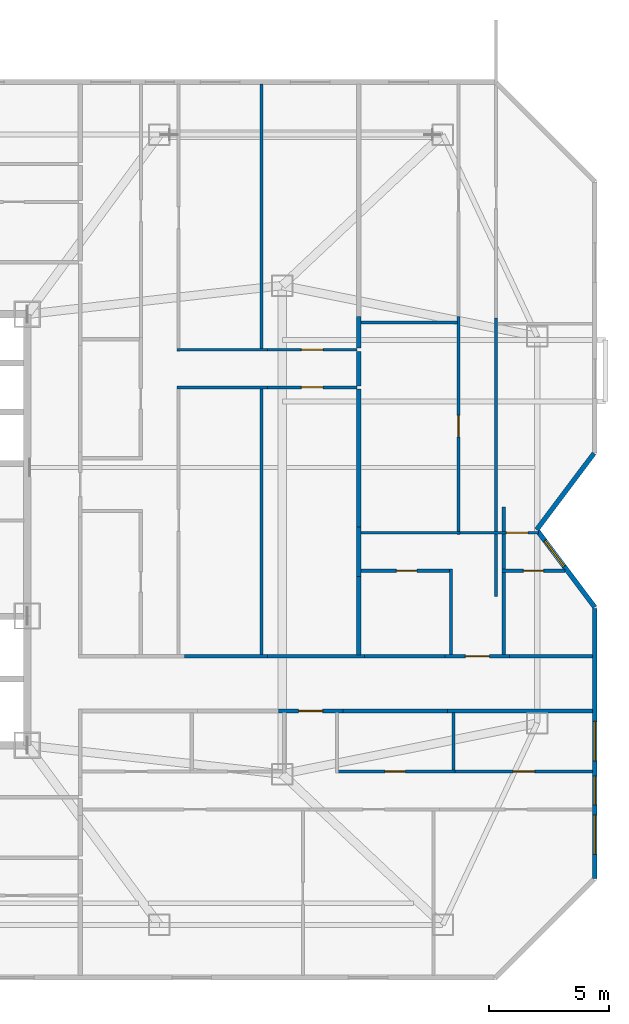
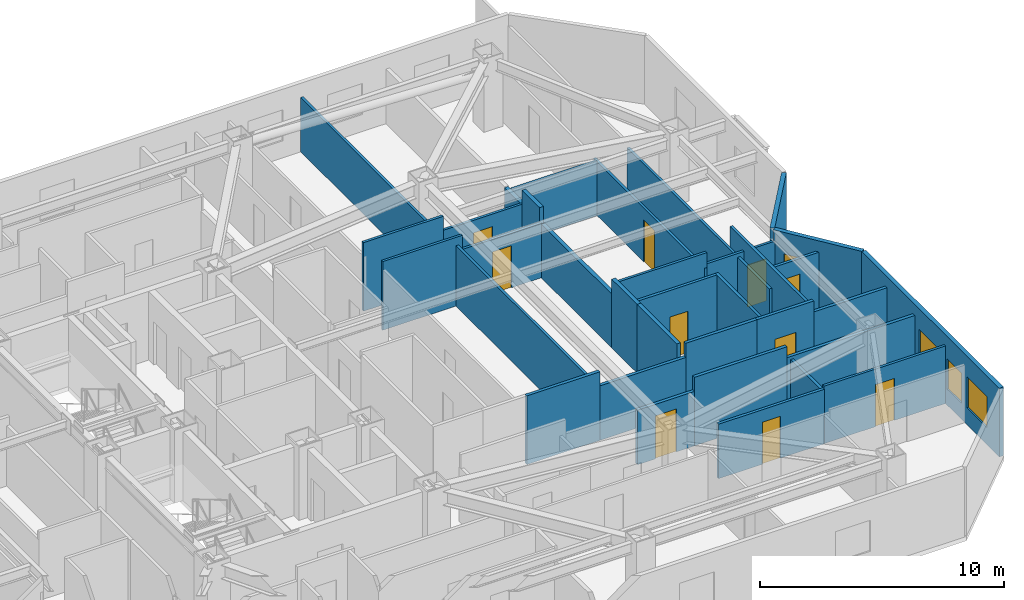
# One storey, part 9 of 12: 34 walls, 10 doors, 4 windows, 14 openings.
"""IFC4 building model written with IfcOpenShell, lengths in metres."""

from ifc_helpers import new_model, si_unit, direction, frame, frame_2d, origin, place, context, subcontext, project, spatial, rectangle, extrude, material, layer, layer_set, type_object, element, fill, save


model = new_model("IFC4")

# Units and contexts
model_context = context("Model", 3, precision=1e-05, world=origin(), true_north=direction((0.0, 1.0)))
body_context = subcontext(model_context, "Body", "Model", "MODEL_VIEW")
ifc_project = project(units=[si_unit("LENGTHUNIT", "METRE"), si_unit("AREAUNIT", "SQUARE_METRE"), si_unit("VOLUMEUNIT", "CUBIC_METRE"), si_unit("PLANEANGLEUNIT", "RADIAN"), si_unit("MASSUNIT", "GRAM", prefix="KILO")], contexts=[model_context])

# Site, building, storey
site_placement = place(None, origin())
site = spatial("IfcSite", under=ifc_project, at=site_placement, CompositionType="ELEMENT")
building_placement = place(site_placement, origin())
building = spatial("IfcBuilding", under=site, at=building_placement, Name="Khamvora Tower", CompositionType="ELEMENT")
storey_placement = place(building_placement, frame((0.0, 0.0, 177.800048828125)))
storey = spatial("IfcBuildingStorey", under=building, at=storey_placement, Name="L45", CompositionType="ELEMENT", Elevation=177.800048828125)

# Wall
ifc_material_1 = material(Name="Fire-Rated Drywall and Steel Stud", Category="steel")
ifc_layer_1 = layer(ifc_material_1, 0.14990234375)
ifc_layer_set_1 = layer_set([ifc_layer_1], Name="Fire-Rated Drywall and Steel Stud")
wall_type_1 = type_object("IfcWallType", Name="WAL-CORR-150", PredefinedType="STANDARD", material=ifc_layer_set_1)
wall_1_placement = place(storey_placement, frame((63.008056640625, 20.43505859375, 0.0), z_axis=(0.0, 0.0, 1.0), x_axis=(-1.0, 0.0, 0.0)))
element("IfcWall", 1, at=wall_1_placement, inside=storey, type_object=wall_type_1, Name="L45 interior partition wall 027", PredefinedType="STANDARD", context=body_context, shape_type="SweptSolid", body=[
    extrude(rectangle(XDim=6.05712890625, YDim=0.14990234375, at=frame_2d((3.028564453125, 0.0))), origin(), (0.0, 0.0, 1.0), 2.8759765625),
])

# Wall, opening, door
wall_2_placement = place(storey_placement, frame((52.583984375, 20.43505859375, 0.0), z_axis=(0.0, 0.0, 1.0), x_axis=(-1.0, 0.0, 0.0)))
wall_2 = element("IfcWall", 2, at=wall_2_placement, inside=storey, type_object=wall_type_1, Name="L45 interior partition wall 028", PredefinedType="STANDARD", context=body_context, shape_type="SweptSolid", body=[
    extrude(rectangle(XDim=2.697998046875, YDim=0.14990234375, at=frame_2d((1.34912109375, 0.0))), origin(), (0.0, 0.0, 1.0), 2.724853515625),
])
opening_1_placement = place(wall_2_placement, frame((0.84912109375, 0.0, 0.0)))
opening_1 = element("IfcOpeningElement", 3, at=opening_1_placement, cuts=wall_2, Name="Opening D-U1", PredefinedType="OPENING", context=body_context, shape_type="SweptSolid", body=[
    extrude(rectangle(XDim=1.0, YDim=2.14990234375, at=frame_2d((0.5, 1.074951171875))), frame((0.0, 0.0849609375, 0.0), z_axis=(0.0, -1.0, 0.0), x_axis=(1.0, 0.0, 0.0)), (0.0, 0.0, 1.0), 0.169921875),
])
ifc_material_2 = material(Name="Powder-Coated Steel and Hardwood Leaf", Category="steel")
door_type_1 = type_object("IfcDoorType", Name="DOR-UNIT-1000", OperationType="NOTDEFINED", PredefinedType="DOOR", material=ifc_material_2)
door_1_placement = place(opening_1_placement, origin())
door_1 = element("IfcDoor", 4, at=door_1_placement, inside=storey, type_object=door_type_1, Name="L45 interior door COR-45EAH", OperationType="SINGLE_SWING_LEFT", OverallHeight=2.14990234375, OverallWidth=1.0, PredefinedType="DOOR", context=body_context, shape_type="SweptSolid", body=[
    extrude(rectangle(XDim=1.0, YDim=2.14990234375, at=frame_2d((0.5, 1.074951171875))), frame((0.0, 0.02490234375, 0.0), z_axis=(0.0, -1.0, 0.0), x_axis=(1.0, 0.0, 0.0)), (0.0, 0.0, 1.0), 0.050048828125),
])
fill(opening_1, door_1)

# Walls
wall_3_placement = place(storey_placement, frame((56.950927734375, 20.43505859375, 0.0), z_axis=(0.0, 0.0, 1.0), x_axis=(-1.0, 0.0, 0.0)))
element("IfcWall", 5, at=wall_3_placement, inside=storey, type_object=wall_type_1, Name="L45 interior partition wall 031", PredefinedType="STANDARD", context=body_context, shape_type="SweptSolid", body=[
    extrude(rectangle(XDim=4.366943359375, YDim=0.14990234375, at=frame_2d((2.18359375, 0.0))), origin(), (0.0, 0.0, 1.0), 3.429931640625),
])
wall_4_placement = place(storey_placement, frame((45.97412109375, 22.715087890625, 0.0), z_axis=(0.0, 0.0, 1.0), x_axis=(1.0, 0.0, 0.0)))
element("IfcWall", 6, at=wall_4_placement, inside=storey, type_object=wall_type_1, Name="L45 interior partition wall 038", PredefinedType="STANDARD", context=body_context, shape_type="SweptSolid", body=[
    extrude(rectangle(XDim=3.452880859375, YDim=0.14990234375, at=frame_2d((1.7265625, 0.0))), origin(), (0.0, 0.0, 1.0), 3.429931640625),
])
wall_5_placement = place(storey_placement, frame((49.427001953125, 22.715087890625, 0.0), z_axis=(0.0, 0.0, 1.0), x_axis=(1.0, 0.0, 0.0)))
element("IfcWall", 7, at=wall_5_placement, inside=storey, type_object=wall_type_1, Name="L45 interior partition wall 039", PredefinedType="STANDARD", context=body_context, shape_type="SweptSolid", body=[
    extrude(rectangle(XDim=4.06396484375, YDim=0.14990234375, at=frame_2d((2.031982421875, 0.0))), origin(), (0.0, 0.0, 1.0), 2.724853515625),
])

# Wall, opening, door
wall_6_placement = place(storey_placement, frame((56.84912109375, 22.715087890625, 0.0), z_axis=(0.0, 0.0, 1.0), x_axis=(1.0, 0.0, 0.0)))
wall_6 = element("IfcWall", 8, at=wall_6_placement, inside=storey, type_object=wall_type_1, Name="L45 interior partition wall 040", PredefinedType="STANDARD", context=body_context, shape_type="SweptSolid", body=[
    extrude(rectangle(XDim=2.697998046875, YDim=0.14990234375, at=frame_2d((1.34912109375, 0.0))), origin(), (0.0, 0.0, 1.0), 3.429931640625),
])
opening_2_placement = place(wall_6_placement, frame((0.84912109375, 0.0, 0.0)))
opening_2 = element("IfcOpeningElement", 9, at=opening_2_placement, cuts=wall_6, Name="Opening D-U1", PredefinedType="OPENING", context=body_context, shape_type="SweptSolid", body=[
    extrude(rectangle(XDim=1.0, YDim=2.14990234375, at=frame_2d((0.5, 1.074951171875))), frame((0.0, 0.0849609375, 0.0), z_axis=(0.0, -1.0, 0.0), x_axis=(1.0, 0.0, 0.0)), (0.0, 0.0, 1.0), 0.169921875),
])
door_2_placement = place(opening_2_placement, origin())
door_2 = element("IfcDoor", 10, at=door_2_placement, inside=storey, type_object=door_type_1, Name="L45 interior door COR-45EB2H", OperationType="SINGLE_SWING_LEFT", OverallHeight=2.14990234375, OverallWidth=1.0, PredefinedType="DOOR", context=body_context, shape_type="SweptSolid", body=[
    extrude(rectangle(XDim=1.0, YDim=2.14990234375, at=frame_2d((0.5, 1.074951171875))), frame((0.0, 0.02490234375, 0.0), z_axis=(0.0, -1.0, 0.0), x_axis=(1.0, 0.0, 0.0)), (0.0, 0.0, 1.0), 0.050048828125),
])
fill(opening_2, door_2)

# Walls
wall_7_placement = place(storey_placement, frame((59.547119140625, 22.715087890625, 0.0), z_axis=(0.0, 0.0, 1.0), x_axis=(1.0, 0.0, 0.0)))
element("IfcWall", 11, at=wall_7_placement, inside=storey, type_object=wall_type_1, Name="L45 interior partition wall 041", PredefinedType="STANDARD", context=body_context, shape_type="SweptSolid", body=[
    extrude(rectangle(XDim=3.4609375, YDim=0.14990234375, at=frame_2d((1.73046875, 0.0))), origin(), (0.0, 0.0, 1.0), 2.8759765625),
])
wall_8_placement = place(storey_placement, frame((53.490966796875, 22.715087890625, 0.0), z_axis=(0.0, 0.0, 1.0), x_axis=(1.0, 0.0, 0.0)))
element("IfcWall", 12, at=wall_8_placement, inside=storey, type_object=wall_type_1, Name="L45 interior partition wall 042", PredefinedType="STANDARD", context=body_context, shape_type="SweptSolid", body=[
    extrude(rectangle(XDim=3.358154296875, YDim=0.14990234375, at=frame_2d((1.67919921875, 0.0))), origin(), (0.0, 0.0, 1.0), 3.429931640625),
])
ifc_material_3 = material(Name="Acoustic Double-Stud Fire Wall", Category="gypsum")
ifc_layer_2 = layer(ifc_material_3, 0.179931640625)
ifc_layer_set_2 = layer_set([ifc_layer_2], Name="Acoustic Double-Stud Fire Wall")
wall_type_2 = type_object("IfcWallType", Name="WAL-CORR-180", PredefinedType="STANDARD", material=ifc_layer_set_2)
wall_9_placement = place(storey_placement, frame((53.240966796875, 35.455078125, 0.0), z_axis=(0.0, 0.0, 1.0), x_axis=(0.0, -1.0, 0.0)))
element("IfcWall", 13, at=wall_9_placement, inside=storey, type_object=wall_type_2, Name="L45 interior partition wall 125", PredefinedType="STANDARD", context=body_context, shape_type="SweptSolid", body=[
    extrude(rectangle(XDim=1.440185546875, YDim=0.179931640625, at=frame_2d((0.72021484375, 0.0))), origin(), (0.0, 0.0, 1.0), 3.429931640625),
])
wall_10_placement = place(storey_placement, frame((53.240966796875, 28.1240234375, 0.0), z_axis=(0.0, 0.0, 1.0), x_axis=(0.0, -1.0, 0.0)))
element("IfcWall", 14, at=wall_10_placement, inside=storey, type_object=wall_type_2, Name="L45 interior partition wall 127", PredefinedType="STANDARD", context=body_context, shape_type="SweptSolid", body=[
    extrude(rectangle(XDim=2.078125, YDim=0.179931640625, at=frame_2d((1.0390625, 0.0))), origin(), (0.0, 0.0, 1.0), 3.429931640625),
])
wall_11_placement = place(storey_placement, frame((53.240966796875, 26.0458984375, 0.0), z_axis=(0.0, 0.0, 1.0), x_axis=(0.0, -1.0, 0.0)))
element("IfcWall", 15, at=wall_11_placement, inside=storey, type_object=wall_type_2, Name="L45 interior partition wall 128", PredefinedType="STANDARD", context=body_context, shape_type="SweptSolid", body=[
    extrude(rectangle(XDim=3.265869140625, YDim=0.179931640625, at=frame_2d((1.6328125, 0.0))), origin(), (0.0, 0.0, 1.0), 3.429931640625),
])
wall_12_placement = place(storey_placement, frame((53.240966796875, 33.885009765625, 0.0), z_axis=(0.0, 0.0, 1.0), x_axis=(0.0, -1.0, 0.0)))
element("IfcWall", 16, at=wall_12_placement, inside=storey, type_object=wall_type_2, Name="L45 interior partition wall 129", PredefinedType="STANDARD", context=body_context, shape_type="SweptSolid", body=[
    extrude(rectangle(XDim=5.760986328125, YDim=0.179931640625, at=frame_2d((2.88037109375, 0.0))), origin(), (0.0, 0.0, 1.0), 2.68701171875),
])
wall_13_placement = place(storey_placement, frame((53.240966796875, 36.89892578125, 0.0), z_axis=(0.0, 0.0, 1.0), x_axis=(0.0, -1.0, 0.0)))
element("IfcWall", 17, at=wall_13_placement, inside=storey, type_object=wall_type_2, Name="L45 interior partition wall 131", PredefinedType="STANDARD", context=body_context, shape_type="SweptSolid", body=[
    extrude(rectangle(XDim=1.31396484375, YDim=0.179931640625, at=frame_2d((0.656982421875, 0.0))), origin(), (0.0, 0.0, 1.0), 2.68701171875),
])
ifc_material_4 = material(Name="Precast concrete C40/50", Category="concrete")
ifc_layer_3 = layer(ifc_material_4, 0.199951171875)
ifc_layer_set_3 = layer_set([ifc_layer_3], Name="Precast concrete C40/50")
wall_type_3 = type_object("IfcWallType", Name="WAL-EXT-200", PredefinedType="STANDARD", material=ifc_layer_set_3)
wall_14_placement = place(storey_placement, frame((63.069091796875, 31.19091796875, 0.0), z_axis=(0.0, 0.0, 1.0), x_axis=(-0.600137081448, -0.799897170561, 0.0)))
element("IfcWall", 18, at=wall_14_placement, inside=storey, type_object=wall_type_3, Name="L45 exterior facade wall 10.1", PredefinedType="STANDARD", context=body_context, shape_type="SweptSolid", body=[
    extrude(rectangle(XDim=3.9892578125, YDim=0.199951171875, at=frame_2d((1.99462890625, 0.0))), origin(), (0.0, 0.0, 1.0), 3.429931640625),
])

# Wall, opening, window
wall_15_placement = place(storey_placement, frame((60.72705078125, 27.930908203125, 0.0), z_axis=(0.0, 0.0, 1.0), x_axis=(0.600029630681, -0.799977776132, 0.0)))
wall_15 = element("IfcWall", 19, at=wall_15_placement, inside=storey, type_object=wall_type_3, Name="L45 exterior facade wall 11.1", PredefinedType="STANDARD", context=body_context, shape_type="SweptSolid", body=[
    extrude(rectangle(XDim=3.954833984375, YDim=0.199951171875, at=frame_2d((1.9775390625, 0.0))), origin(), (0.0, 0.0, 1.0), 3.429931640625),
])
opening_3_placement = place(wall_15_placement, frame((0.47802734375, 0.0, 0.85009765625)))
opening_3 = element("IfcOpeningElement", 20, at=opening_3_placement, cuts=wall_15, Name="Opening WN-07", PredefinedType="OPENING", context=body_context, shape_type="SweptSolid", body=[
    extrude(rectangle(XDim=1.35009765625, YDim=1.5, at=frame_2d((0.675048828125, 0.75))), frame((0.0, 0.10986328125, 0.0), z_axis=(0.0, -1.0, 0.0), x_axis=(1.0, 0.0, 0.0)), (0.0, 0.0, 1.0), 0.219970703125),
])
ifc_material_5 = material(Name="Low-E Laminated Double Glazing", Category="glass")
window_type_1 = type_object("IfcWindowType", Name="WIN-VIS-1350x1500", PartitioningType="SINGLE_PANEL", PredefinedType="WINDOW", material=ifc_material_5)
window_1_placement = place(opening_3_placement, origin())
window_1 = element("IfcWindow", 21, at=window_1_placement, inside=storey, type_object=window_type_1, Name="L45 vision window 11.1.01", OverallHeight=1.5, OverallWidth=1.35009765625, PartitioningType="SINGLE_PANEL", PredefinedType="WINDOW", context=body_context, shape_type="SweptSolid", body=[
    extrude(rectangle(XDim=1.35009765625, YDim=1.5, at=frame_2d((0.675048828125, 0.75))), frame((0.0, 0.030029296875, 0.0), z_axis=(0.0, -1.0, 0.0), x_axis=(1.0, 0.0, 0.0)), (0.0, 0.0, 1.0), 0.06005859375),
])
fill(opening_3, window_1)

# Wall, openings, windows
wall_16_placement = place(storey_placement, frame((63.10009765625, 24.717041015625, 0.0), z_axis=(0.0, 0.0, 1.0), x_axis=(0.0, -1.0, 0.0)))
wall_16 = element("IfcWall", 22, at=wall_16_placement, inside=storey, type_object=wall_type_3, Name="L45 exterior facade wall 12.1", PredefinedType="STANDARD", context=body_context, shape_type="SweptSolid", body=[
    extrude(rectangle(XDim=11.276123046875, YDim=0.199951171875, at=frame_2d((5.63818359375, 0.0))), origin(), (0.0, 0.0, 1.0), 3.429931640625),
])
opening_4_placement = place(wall_16_placement, frame((4.721923828125, 0.0, 0.85009765625)))
opening_4 = element("IfcOpeningElement", 23, at=opening_4_placement, cuts=wall_16, Name="Opening WN-06", PredefinedType="OPENING", context=body_context, shape_type="SweptSolid", body=[
    extrude(rectangle(XDim=1.64990234375, YDim=1.550048828125, at=frame_2d((0.824951171875, 0.77490234375))), frame((0.0, 0.10986328125, 0.0), z_axis=(0.0, -1.0, 0.0), x_axis=(1.0, 0.0, 0.0)), (0.0, 0.0, 1.0), 0.219970703125),
])
opening_5_placement = place(wall_16_placement, frame((7.001953125, 0.0, 0.800048828125)))
opening_5 = element("IfcOpeningElement", 24, at=opening_5_placement, cuts=wall_16, Name="Opening WN-03", PredefinedType="OPENING", context=body_context, shape_type="SweptSolid", body=[
    extrude(rectangle(XDim=1.199951171875, YDim=1.5, at=frame_2d((0.60009765625, 0.75))), frame((0.0, 0.10986328125, 0.0), z_axis=(0.0, -1.0, 0.0), x_axis=(1.0, 0.0, 0.0)), (0.0, 0.0, 1.0), 0.219970703125),
])
opening_6_placement = place(wall_16_placement, frame((8.616943359375, 0.0, 0.85009765625)))
opening_6 = element("IfcOpeningElement", 25, at=opening_6_placement, cuts=wall_16, Name="Opening WN-06", PredefinedType="OPENING", context=body_context, shape_type="SweptSolid", body=[
    extrude(rectangle(XDim=1.64990234375, YDim=1.550048828125, at=frame_2d((0.824951171875, 0.77490234375))), frame((0.0, 0.10986328125, 0.0), z_axis=(0.0, -1.0, 0.0), x_axis=(1.0, 0.0, 0.0)), (0.0, 0.0, 1.0), 0.219970703125),
])
window_type_2 = type_object("IfcWindowType", Name="WIN-VIS-1200x1500", PartitioningType="SINGLE_PANEL", PredefinedType="WINDOW", material=ifc_material_5)
window_2_placement = place(opening_5_placement, origin())
window_2 = element("IfcWindow", 26, at=window_2_placement, inside=storey, type_object=window_type_2, Name="L45 vision window 12.1.02", OverallHeight=1.5, OverallWidth=1.199951171875, PartitioningType="SINGLE_PANEL", PredefinedType="WINDOW", context=body_context, shape_type="SweptSolid", body=[
    extrude(rectangle(XDim=1.199951171875, YDim=1.5, at=frame_2d((0.60009765625, 0.75))), frame((0.0, 0.030029296875, 0.0), z_axis=(0.0, -1.0, 0.0), x_axis=(1.0, 0.0, 0.0)), (0.0, 0.0, 1.0), 0.06005859375),
])
fill(opening_5, window_2)
window_type_3 = type_object("IfcWindowType", Name="WIN-VIS-1650x1550", PartitioningType="SINGLE_PANEL", PredefinedType="WINDOW", material=ifc_material_5)
window_3_placement = place(opening_4_placement, origin())
window_3 = element("IfcWindow", 27, at=window_3_placement, inside=storey, type_object=window_type_3, Name="L45 vision window 12.1.01", OverallHeight=1.550048828125, OverallWidth=1.64990234375, PartitioningType="SINGLE_PANEL", PredefinedType="WINDOW", context=body_context, shape_type="SweptSolid", body=[
    extrude(rectangle(XDim=1.64990234375, YDim=1.550048828125, at=frame_2d((0.824951171875, 0.77490234375))), frame((0.0, 0.030029296875, 0.0), z_axis=(0.0, -1.0, 0.0), x_axis=(1.0, 0.0, 0.0)), (0.0, 0.0, 1.0), 0.06005859375),
])
fill(opening_4, window_3)
window_4_placement = place(opening_6_placement, origin())
window_4 = element("IfcWindow", 28, at=window_4_placement, inside=storey, type_object=window_type_3, Name="L45 vision window 12.1.03", OverallHeight=1.550048828125, OverallWidth=1.64990234375, PartitioningType="SINGLE_PANEL", PredefinedType="WINDOW", context=body_context, shape_type="SweptSolid", body=[
    extrude(rectangle(XDim=1.64990234375, YDim=1.550048828125, at=frame_2d((0.824951171875, 0.77490234375))), frame((0.0, 0.030029296875, 0.0), z_axis=(0.0, -1.0, 0.0), x_axis=(1.0, 0.0, 0.0)), (0.0, 0.0, 1.0), 0.06005859375),
])
fill(opening_6, window_4)

# Wall, opening, door
ifc_material_6 = material(Name="Gypsum Plasterboard Partition", Category="gypsum")
ifc_layer_4 = layer(ifc_material_6, 0.1201171875)
ifc_layer_set_4 = layer_set([ifc_layer_4], Name="Gypsum Plasterboard Partition")
wall_type_4 = type_object("IfcWallType", Name="WAL-PART-120", PredefinedType="PARTITIONING", material=ifc_layer_set_4)
wall_17_placement = place(storey_placement, frame((63.008056640625, 17.905029296875, 0.0), z_axis=(0.0, 0.0, 1.0), x_axis=(-1.0, 0.0, 0.0)))
wall_17 = element("IfcWall", 29, at=wall_17_placement, inside=storey, type_object=wall_type_4, Name="L45 interior partition wall 102", PredefinedType="PARTITIONING", context=body_context, shape_type="SweptSolid", body=[
    extrude(rectangle(XDim=5.7431640625, YDim=0.1201171875, at=frame_2d((2.87158203125, 0.0))), origin(), (0.0, 0.0, 1.0), 2.8759765625),
])
opening_7_placement = place(wall_17_placement, frame((2.4208984375, 0.0, 0.0)))
opening_7 = element("IfcOpeningElement", 30, at=opening_7_placement, cuts=wall_17, Name="Opening D-RM1", PredefinedType="OPENING", context=body_context, shape_type="SweptSolid", body=[
    extrude(rectangle(XDim=0.89990234375, YDim=2.10009765625, at=frame_2d((0.449951171875, 1.050048828125))), frame((0.0, 0.070068359375, 0.0), z_axis=(0.0, -1.0, 0.0), x_axis=(1.0, 0.0, 0.0)), (0.0, 0.0, 1.0), 0.14013671875),
])
door_type_2 = type_object("IfcDoorType", Name="DOR-ROOM-900", OperationType="NOTDEFINED", PredefinedType="DOOR", material=ifc_material_2)
door_3_placement = place(opening_7_placement, origin())
door_3 = element("IfcDoor", 31, at=door_3_placement, inside=storey, type_object=door_type_2, Name="L45 interior door 45EAW2-45EAH", OperationType="SINGLE_SWING_RIGHT", OverallHeight=2.10009765625, OverallWidth=0.89990234375, PredefinedType="DOOR", context=body_context, shape_type="SweptSolid", body=[
    extrude(rectangle(XDim=0.89990234375, YDim=2.10009765625, at=frame_2d((0.449951171875, 1.050048828125))), frame((0.0, 0.02490234375, 0.0), z_axis=(0.0, -1.0, 0.0), x_axis=(1.0, 0.0, 0.0)), (0.0, 0.0, 1.0), 0.050048828125),
])
fill(opening_7, door_3)

# Wall
wall_18_placement = place(storey_placement, frame((49.427001953125, 33.949951171875, 0.0), z_axis=(0.0, 0.0, 1.0), x_axis=(-1.0, 0.0, 0.0)))
element("IfcWall", 32, at=wall_18_placement, inside=storey, type_object=wall_type_4, Name="L45 interior partition wall 119", PredefinedType="PARTITIONING", context=body_context, shape_type="SweptSolid", body=[
    extrude(rectangle(XDim=3.76708984375, YDim=0.1201171875, at=frame_2d((1.883544921875, 0.0))), origin(), (0.0, 0.0, 1.0), 3.429931640625),
])

# Wall, opening, door
wall_19_placement = place(storey_placement, frame((53.176025390625, 33.949951171875, 0.0), z_axis=(0.0, 0.0, 1.0), x_axis=(-1.0, 0.0, 0.0)))
wall_19 = element("IfcWall", 33, at=wall_19_placement, inside=storey, type_object=wall_type_4, Name="L45 interior partition wall 121", PredefinedType="PARTITIONING", context=body_context, shape_type="SweptSolid", body=[
    extrude(rectangle(XDim=3.7490234375, YDim=0.1201171875, at=frame_2d((1.87451171875, 0.0))), origin(), (0.0, 0.0, 1.0), 2.724853515625),
])
opening_8_placement = place(wall_19_placement, frame((1.425048828125, 0.0, 0.0)))
opening_8 = element("IfcOpeningElement", 34, at=opening_8_placement, cuts=wall_19, Name="Opening D-RM1", PredefinedType="OPENING", context=body_context, shape_type="SweptSolid", body=[
    extrude(rectangle(XDim=0.89990234375, YDim=2.10009765625, at=frame_2d((0.449951171875, 1.050048828125))), frame((0.0, 0.070068359375, 0.0), z_axis=(0.0, -1.0, 0.0), x_axis=(1.0, 0.0, 0.0)), (0.0, 0.0, 1.0), 0.14013671875),
])
door_4_placement = place(opening_8_placement, origin())
door_4 = element("IfcDoor", 35, at=door_4_placement, inside=storey, type_object=door_type_2, Name="L45 interior door 45EB1H-45EB1R2", OperationType="SINGLE_SWING_LEFT", OverallHeight=2.10009765625, OverallWidth=0.89990234375, PredefinedType="DOOR", context=body_context, shape_type="SweptSolid", body=[
    extrude(rectangle(XDim=0.89990234375, YDim=2.10009765625, at=frame_2d((0.449951171875, 1.050048828125))), frame((0.0, 0.02490234375, 0.0), z_axis=(0.0, -1.0, 0.0), x_axis=(1.0, 0.0, 0.0)), (0.0, 0.0, 1.0), 0.050048828125),
])
fill(opening_8, door_4)

# Wall
wall_20_placement = place(storey_placement, frame((45.659912109375, 35.52001953125, 0.0), z_axis=(0.0, 0.0, 1.0), x_axis=(1.0, 0.0, 0.0)))
element("IfcWall", 36, at=wall_20_placement, inside=storey, type_object=wall_type_4, Name="L45 interior partition wall 123", PredefinedType="PARTITIONING", context=body_context, shape_type="SweptSolid", body=[
    extrude(rectangle(XDim=3.76708984375, YDim=0.1201171875, at=frame_2d((1.883544921875, 0.0))), origin(), (0.0, 0.0, 1.0), 3.429931640625),
])

# Wall, opening, door
wall_21_placement = place(storey_placement, frame((49.427001953125, 35.52001953125, 0.0), z_axis=(0.0, 0.0, 1.0), x_axis=(1.0, 0.0, 0.0)))
wall_21 = element("IfcWall", 37, at=wall_21_placement, inside=storey, type_object=wall_type_4, Name="L45 interior partition wall 124", PredefinedType="PARTITIONING", context=body_context, shape_type="SweptSolid", body=[
    extrude(rectangle(XDim=3.7490234375, YDim=0.1201171875, at=frame_2d((1.87451171875, 0.0))), origin(), (0.0, 0.0, 1.0), 2.724853515625),
])
opening_9_placement = place(wall_21_placement, frame((1.425048828125, 0.0, 0.0)))
opening_9 = element("IfcOpeningElement", 38, at=opening_9_placement, cuts=wall_21, Name="Opening D-RM1", PredefinedType="OPENING", context=body_context, shape_type="SweptSolid", body=[
    extrude(rectangle(XDim=0.89990234375, YDim=2.10009765625, at=frame_2d((0.449951171875, 1.050048828125))), frame((0.0, 0.070068359375, 0.0), z_axis=(0.0, -1.0, 0.0), x_axis=(1.0, 0.0, 0.0)), (0.0, 0.0, 1.0), 0.14013671875),
])
door_5_placement = place(opening_9_placement, origin())
door_5 = element("IfcDoor", 39, at=door_5_placement, inside=storey, type_object=door_type_2, Name="L45 interior door 45EB1H-45EB1R4", OperationType="SINGLE_SWING_LEFT", OverallHeight=2.10009765625, OverallWidth=0.89990234375, PredefinedType="DOOR", context=body_context, shape_type="SweptSolid", body=[
    extrude(rectangle(XDim=0.89990234375, YDim=2.10009765625, at=frame_2d((0.449951171875, 1.050048828125))), frame((0.0, 0.02490234375, 0.0), z_axis=(0.0, -1.0, 0.0), x_axis=(1.0, 0.0, 0.0)), (0.0, 0.0, 1.0), 0.050048828125),
])
fill(opening_9, door_5)

# Walls
wall_22_placement = place(storey_placement, frame((49.177978515625, 33.89599609375, 0.0), z_axis=(0.0, 0.0, 1.0), x_axis=(0.0, -1.0, 0.0)))
element("IfcWall", 40, at=wall_22_placement, inside=storey, type_object=wall_type_4, Name="L45 interior partition wall 126", PredefinedType="PARTITIONING", context=body_context, shape_type="SweptSolid", body=[
    extrude(rectangle(XDim=11.115966796875, YDim=0.1201171875, at=frame_2d((5.55810546875, 0.0))), origin(), (0.0, 0.0, 1.0), 3.012939453125),
])
wall_23_placement = place(storey_placement, frame((49.177978515625, 46.60791015625, 0.0), z_axis=(0.0, 0.0, 1.0), x_axis=(0.0, -1.0, 0.0)))
element("IfcWall", 41, at=wall_23_placement, inside=storey, type_object=wall_type_4, Name="L45 interior partition wall 130", PredefinedType="PARTITIONING", context=body_context, shape_type="SweptSolid", body=[
    extrude(rectangle(XDim=11.033935546875, YDim=0.1201171875, at=frame_2d((5.51708984375, 0.0))), origin(), (0.0, 0.0, 1.0), 2.724853515625),
])
wall_24_placement = place(storey_placement, frame((53.322998046875, 27.875, 0.0), z_axis=(0.0, 0.0, 1.0), x_axis=(1.0, 0.0, 0.0)))
element("IfcWall", 42, at=wall_24_placement, inside=storey, type_object=wall_type_4, Name="L45 interior partition wall 137", PredefinedType="PARTITIONING", context=body_context, shape_type="SweptSolid", body=[
    extrude(rectangle(XDim=4.155029296875, YDim=0.1201171875, at=frame_2d((2.07763671875, 0.0))), origin(), (0.0, 0.0, 1.0), 3.429931640625),
])

# Wall, opening, door
wall_25_placement = place(storey_placement, frame((57.4130859375, 27.81005859375, 0.0), z_axis=(0.0, 0.0, 1.0), x_axis=(0.0, 1.0, 0.0)))
wall_25 = element("IfcWall", 43, at=wall_25_placement, inside=storey, type_object=wall_type_4, Name="L45 interior partition wall 138", PredefinedType="PARTITIONING", context=body_context, shape_type="SweptSolid", body=[
    extrude(rectangle(XDim=9.0888671875, YDim=0.1201171875, at=frame_2d((4.54443359375, 0.0))), origin(), (0.0, 0.0, 1.0), 2.68701171875),
])
opening_10_placement = place(wall_25_placement, frame((4.073974609375, 0.0, 0.0)))
opening_10 = element("IfcOpeningElement", 44, at=opening_10_placement, cuts=wall_25, Name="Opening D-RM1", PredefinedType="OPENING", context=body_context, shape_type="SweptSolid", body=[
    extrude(rectangle(XDim=0.89990234375, YDim=2.10009765625, at=frame_2d((0.449951171875, 1.050048828125))), frame((0.0, 0.070068359375, 0.0), z_axis=(0.0, -1.0, 0.0), x_axis=(1.0, 0.0, 0.0)), (0.0, 0.0, 1.0), 0.14013671875),
])
door_6_placement = place(opening_10_placement, origin())
door_6 = element("IfcDoor", 45, at=door_6_placement, inside=storey, type_object=door_type_2, Name="L45 interior door 45EB2H-45EB2R1", OperationType="SINGLE_SWING_RIGHT", OverallHeight=2.10009765625, OverallWidth=0.89990234375, PredefinedType="DOOR", context=body_context, shape_type="SweptSolid", body=[
    extrude(rectangle(XDim=0.89990234375, YDim=2.10009765625, at=frame_2d((0.449951171875, 1.050048828125))), frame((0.0, 0.02490234375, 0.0), z_axis=(0.0, -1.0, 0.0), x_axis=(1.0, 0.0, 0.0)), (0.0, 0.0, 1.0), 0.050048828125),
])
fill(opening_10, door_6)

# Wall
wall_26_placement = place(storey_placement, frame((58.98291015625, 36.85498046875, 0.0), z_axis=(0.0, 0.0, 1.0), x_axis=(0.0, -1.0, 0.0)))
element("IfcWall", 46, at=wall_26_placement, inside=storey, type_object=wall_type_4, Name="L45 interior partition wall 140", PredefinedType="PARTITIONING", context=body_context, shape_type="SweptSolid", body=[
    extrude(rectangle(XDim=11.64501953125, YDim=0.1201171875, at=frame_2d((5.822509765625, 0.0))), origin(), (0.0, 0.0, 1.0), 2.68701171875),
])

# Wall, opening, door
wall_27_placement = place(storey_placement, frame((57.47802734375, 27.875, 0.0), z_axis=(0.0, 0.0, 1.0), x_axis=(1.0, 0.0, 0.0)))
wall_27 = element("IfcWall", 47, at=wall_27_placement, inside=storey, type_object=wall_type_4, Name="L45 interior partition wall 141", PredefinedType="PARTITIONING", context=body_context, shape_type="SweptSolid", body=[
    extrude(rectangle(XDim=3.263916015625, YDim=0.1201171875, at=frame_2d((1.6318359375, 0.0))), origin(), (0.0, 0.0, 1.0), 2.8759765625),
])
opening_11_placement = place(wall_27_placement, frame((1.93310546875, 0.0, 0.0)))
opening_11 = element("IfcOpeningElement", 48, at=opening_11_placement, cuts=wall_27, Name="Opening D-RM1", PredefinedType="OPENING", context=body_context, shape_type="SweptSolid", body=[
    extrude(rectangle(XDim=0.89990234375, YDim=2.10009765625, at=frame_2d((0.449951171875, 1.050048828125))), frame((0.0, 0.070068359375, 0.0), z_axis=(0.0, -1.0, 0.0), x_axis=(1.0, 0.0, 0.0)), (0.0, 0.0, 1.0), 0.14013671875),
])
door_7_placement = place(opening_11_placement, origin())
door_7 = element("IfcDoor", 49, at=door_7_placement, inside=storey, type_object=door_type_2, Name="L45 interior door 45EB2H-45EB2R3", OperationType="SINGLE_SWING_RIGHT", OverallHeight=2.10009765625, OverallWidth=0.89990234375, PredefinedType="DOOR", context=body_context, shape_type="SweptSolid", body=[
    extrude(rectangle(XDim=0.89990234375, YDim=2.10009765625, at=frame_2d((0.449951171875, 1.050048828125))), frame((0.0, 0.02490234375, 0.0), z_axis=(0.0, -1.0, 0.0), x_axis=(1.0, 0.0, 0.0)), (0.0, 0.0, 1.0), 0.050048828125),
])
fill(opening_11, door_7)

# Walls
wall_28_placement = place(storey_placement, frame((53.322998046875, 36.64990234375, 0.0), z_axis=(0.0, 0.0, 1.0), x_axis=(1.0, 0.0, 0.0)))
element("IfcWall", 50, at=wall_28_placement, inside=storey, type_object=wall_type_4, Name="L45 interior partition wall 143", PredefinedType="PARTITIONING", context=body_context, shape_type="SweptSolid", body=[
    extrude(rectangle(XDim=4.035888671875, YDim=0.1201171875, at=frame_2d((2.01806640625, 0.0))), origin(), (0.0, 0.0, 1.0), 2.724853515625),
])
ifc_material_7 = material(Name="Moisture-Resistant Plasterboard Partition", Category="gypsum")
ifc_layer_5 = layer(ifc_material_7, 0.135009765625)
ifc_layer_set_5 = layer_set([ifc_layer_5], Name="Moisture-Resistant Plasterboard Partition")
wall_type_5 = type_object("IfcWallType", Name="WAL-WET-135", PredefinedType="PARTITIONING", material=ifc_layer_set_5)
wall_29_placement = place(storey_placement, frame((57.199951171875, 17.969970703125, 0.0), z_axis=(0.0, 0.0, 1.0), x_axis=(0.0, 1.0, 0.0)))
element("IfcWall", 51, at=wall_29_placement, inside=storey, type_object=wall_type_5, Name="L45 interior partition wall 103", PredefinedType="PARTITIONING", context=body_context, shape_type="SweptSolid", body=[
    extrude(rectangle(XDim=2.39794921875, YDim=0.135009765625, at=frame_2d((1.198974609375, 0.0))), origin(), (0.0, 0.0, 1.0), 2.724853515625),
])

# Wall, opening, door
wall_30_placement = place(storey_placement, frame((52.27001953125, 17.905029296875, 0.0), z_axis=(0.0, 0.0, 1.0), x_axis=(1.0, 0.0, 0.0)))
wall_30 = element("IfcWall", 52, at=wall_30_placement, inside=storey, type_object=wall_type_5, Name="L45 interior partition wall 107", PredefinedType="PARTITIONING", context=body_context, shape_type="SweptSolid", body=[
    extrude(rectangle(XDim=4.994873046875, YDim=0.135009765625, at=frame_2d((2.49755859375, 0.0))), origin(), (0.0, 0.0, 1.0), 2.724853515625),
])
opening_12_placement = place(wall_30_placement, frame((2.072998046875, 0.0, 0.0)))
opening_12 = element("IfcOpeningElement", 53, at=opening_12_placement, cuts=wall_30, Name="Opening D-RM2", PredefinedType="OPENING", context=body_context, shape_type="SweptSolid", body=[
    extrude(rectangle(XDim=0.85009765625, YDim=2.10009765625, at=frame_2d((0.425048828125, 1.050048828125))), frame((0.0, 0.077392578125, 0.0), z_axis=(0.0, -1.0, 0.0), x_axis=(1.0, 0.0, 0.0)), (0.0, 0.0, 1.0), 0.155029296875),
])
door_type_3 = type_object("IfcDoorType", Name="DOR-ROOM-850", OperationType="NOTDEFINED", PredefinedType="DOOR", material=ifc_material_2)
door_8_placement = place(opening_12_placement, origin())
door_8 = element("IfcDoor", 54, at=door_8_placement, inside=storey, type_object=door_type_3, Name="L45 interior door 45EAH-45EAK", OperationType="SINGLE_SWING_RIGHT", OverallHeight=2.10009765625, OverallWidth=0.85009765625, PredefinedType="DOOR", context=body_context, shape_type="SweptSolid", body=[
    extrude(rectangle(XDim=0.85009765625, YDim=2.10009765625, at=frame_2d((0.425048828125, 1.050048828125))), frame((0.0, 0.02490234375, 0.0), z_axis=(0.0, -1.0, 0.0), x_axis=(1.0, 0.0, 0.0)), (0.0, 0.0, 1.0), 0.050048828125),
])
fill(opening_12, door_8)

wall_31_placement = place(storey_placement, frame((61.85009765625, 26.294921875, 0.0), z_axis=(0.0, 0.0, 1.0), x_axis=(-1.0, 0.0, 0.0)))
wall_31 = element("IfcWall", 55, at=wall_31_placement, inside=storey, type_object=wall_type_5, Name="L45 interior partition wall 133", PredefinedType="PARTITIONING", context=body_context, shape_type="SweptSolid", body=[
    extrude(rectangle(XDim=2.6171875, YDim=0.135009765625, at=frame_2d((1.30859375, 0.0))), origin(), (0.0, 0.0, 1.0), 2.8759765625),
])
opening_13_placement = place(wall_31_placement, frame((0.883056640625, 0.0, 0.0)))
opening_13 = element("IfcOpeningElement", 56, at=opening_13_placement, cuts=wall_31, Name="Opening D-WC1", PredefinedType="OPENING", context=body_context, shape_type="SweptSolid", body=[
    extrude(rectangle(XDim=0.85009765625, YDim=2.10009765625, at=frame_2d((0.425048828125, 1.050048828125))), frame((0.0, 0.077392578125, 0.0), z_axis=(0.0, -1.0, 0.0), x_axis=(1.0, 0.0, 0.0)), (0.0, 0.0, 1.0), 0.155029296875),
])
door_type_4 = type_object("IfcDoorType", Name="DOR-WET-850", OperationType="NOTDEFINED", PredefinedType="DOOR", material=ifc_material_2)
door_9_placement = place(opening_13_placement, origin())
door_9 = element("IfcDoor", 57, at=door_9_placement, inside=storey, type_object=door_type_4, Name="L45 interior door 45EB2H-45EB2B", OperationType="SINGLE_SWING_RIGHT", OverallHeight=2.10009765625, OverallWidth=0.85009765625, PredefinedType="DOOR", context=body_context, shape_type="SweptSolid", body=[
    extrude(rectangle(XDim=0.85009765625, YDim=2.10009765625, at=frame_2d((0.425048828125, 1.050048828125))), frame((0.0, 0.02490234375, 0.0), z_axis=(0.0, -1.0, 0.0), x_axis=(1.0, 0.0, 0.0)), (0.0, 0.0, 1.0), 0.050048828125),
])
fill(opening_13, door_9)

# Walls
wall_32_placement = place(storey_placement, frame((59.298095703125, 28.9599609375, 0.0), z_axis=(0.0, 0.0, 1.0), x_axis=(0.0, -1.0, 0.0)))
element("IfcWall", 58, at=wall_32_placement, inside=storey, type_object=wall_type_5, Name="L45 interior partition wall 134", PredefinedType="PARTITIONING", context=body_context, shape_type="SweptSolid", body=[
    extrude(rectangle(XDim=6.179931640625, YDim=0.135009765625, at=frame_2d((3.08984375, 0.0))), origin(), (0.0, 0.0, 1.0), 3.429931640625),
])
wall_33_placement = place(storey_placement, frame((57.097900390625, 22.780029296875, 0.0), z_axis=(0.0, 0.0, 1.0), x_axis=(0.0, 1.0, 0.0)))
element("IfcWall", 59, at=wall_33_placement, inside=storey, type_object=wall_type_5, Name="L45 interior partition wall 135", PredefinedType="PARTITIONING", context=body_context, shape_type="SweptSolid", body=[
    extrude(rectangle(XDim=3.580078125, YDim=0.135009765625, at=frame_2d((1.7900390625, 0.0))), origin(), (0.0, 0.0, 1.0), 3.429931640625),
])

# Wall, opening, door
wall_34_placement = place(storey_placement, frame((57.1630859375, 26.294921875, 0.0), z_axis=(0.0, 0.0, 1.0), x_axis=(-1.0, 0.0, 0.0)))
wall_34 = element("IfcWall", 60, at=wall_34_placement, inside=storey, type_object=wall_type_5, Name="L45 interior partition wall 136", PredefinedType="PARTITIONING", context=body_context, shape_type="SweptSolid", body=[
    extrude(rectangle(XDim=3.840087890625, YDim=0.135009765625, at=frame_2d((1.919921875, 0.0))), origin(), (0.0, 0.0, 1.0), 3.429931640625),
])
opening_14_placement = place(wall_34_placement, frame((1.4951171875, 0.0, 0.0)))
opening_14 = element("IfcOpeningElement", 61, at=opening_14_placement, cuts=wall_34, Name="Opening D-RM2", PredefinedType="OPENING", context=body_context, shape_type="SweptSolid", body=[
    extrude(rectangle(XDim=0.85009765625, YDim=2.10009765625, at=frame_2d((0.425048828125, 1.050048828125))), frame((0.0, 0.077392578125, 0.0), z_axis=(0.0, -1.0, 0.0), x_axis=(1.0, 0.0, 0.0)), (0.0, 0.0, 1.0), 0.155029296875),
])
door_10_placement = place(opening_14_placement, origin())
door_10 = element("IfcDoor", 62, at=door_10_placement, inside=storey, type_object=door_type_3, Name="L45 interior door 45EB2H-45EB2K", OperationType="SINGLE_SWING_LEFT", OverallHeight=2.10009765625, OverallWidth=0.85009765625, PredefinedType="DOOR", context=body_context, shape_type="SweptSolid", body=[
    extrude(rectangle(XDim=0.85009765625, YDim=2.10009765625, at=frame_2d((0.425048828125, 1.050048828125))), frame((0.0, 0.02490234375, 0.0), z_axis=(0.0, -1.0, 0.0), x_axis=(1.0, 0.0, 0.0)), (0.0, 0.0, 1.0), 0.050048828125),
])
fill(opening_14, door_10)

save(model, "model.ifc")
